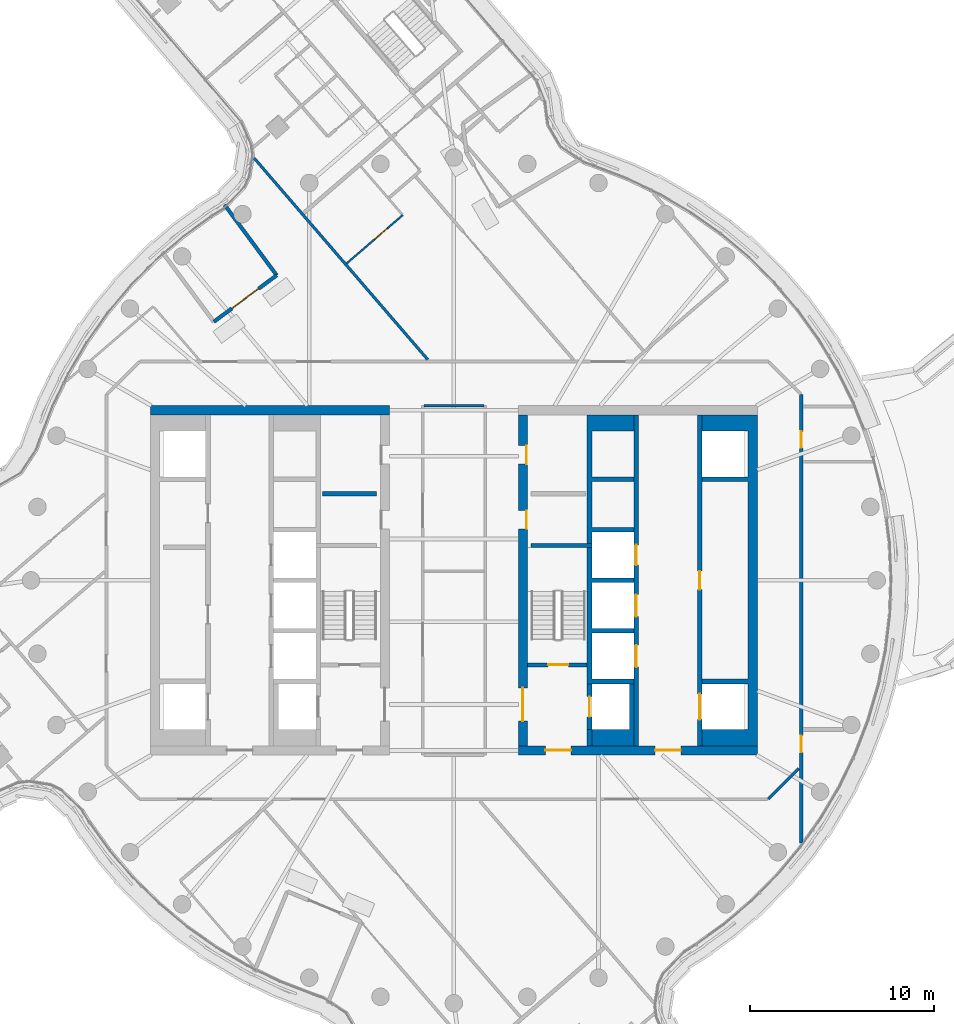
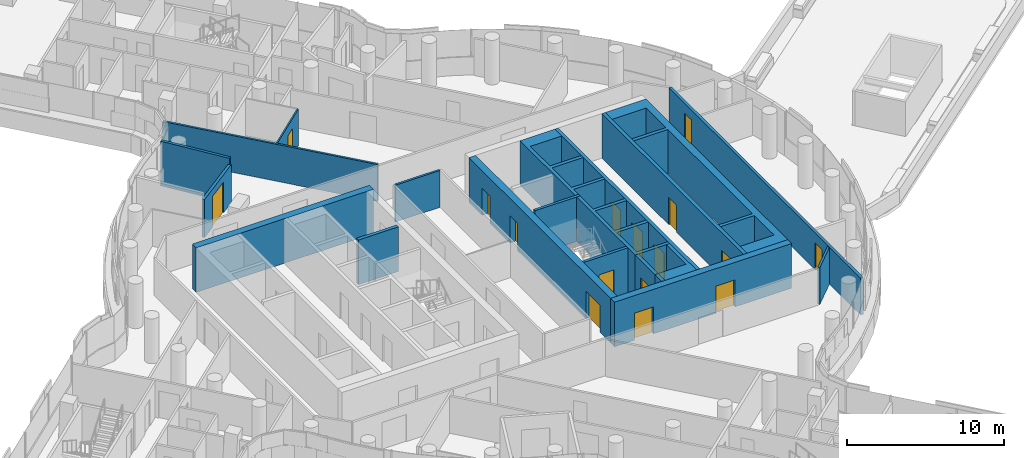
# One storey, part 24 of 34: 20 walls, 16 doors, 16 openings.
"""IFC4 building model written with IfcOpenShell, lengths in metres."""

from ifc_helpers import new_model, si_unit, direction, frame, frame_2d, origin, place, context, subcontext, project, spatial, polyline, rectangle, outline, extrude, material, layer, layer_set, type_object, element, fill, save


model = new_model("IFC4")

# Units and contexts
model_context = context("Model", 3, precision=1e-05, world=origin(), true_north=direction((0.0, 1.0)))
body_context = subcontext(model_context, "Body", "Model", "MODEL_VIEW")
ifc_project = project(units=[si_unit("LENGTHUNIT", "METRE"), si_unit("AREAUNIT", "SQUARE_METRE"), si_unit("VOLUMEUNIT", "CUBIC_METRE"), si_unit("PLANEANGLEUNIT", "RADIAN"), si_unit("MASSUNIT", "GRAM", prefix="KILO")], contexts=[model_context])

# Site, building, storey
site_placement = place(None, origin())
site = spatial("IfcSite", under=ifc_project, at=site_placement, CompositionType="ELEMENT")
building_placement = place(site_placement, origin())
building = spatial("IfcBuilding", under=site, at=building_placement, Name="Tamarind Cross Interchange Tower", CompositionType="ELEMENT")
storey_placement = place(building_placement, frame((0.0, 0.0, 182.5)))
storey = spatial("IfcBuildingStorey", under=building, at=storey_placement, Name="L45", CompositionType="ELEMENT", Elevation=182.5)

# Wall, opening, door
ifc_material_1 = material(Name="Concrete C40", Category="concrete")
ifc_layer_1 = layer(ifc_material_1, 0.199951171875)
ifc_layer_set_1 = layer_set([ifc_layer_1], Name="Concrete C40")
wall_type_1 = type_object("IfcWallType", Name="Balcony and garden door wall", PredefinedType="SOLIDWALL", material=ifc_layer_set_1)
wall_1_placement = place(storey_placement, frame((-9.638671875, 16.5927734375, 0.0), z_axis=(0.0, 0.0, 1.0), x_axis=(-0.804072359199, -0.594531446748, 0.0)))
wall_1 = element("IfcWall", 1, at=wall_1_placement, inside=storey, type_object=wall_type_1, Name="EXW-L45-WG-L45-NW", PredefinedType="SOLIDWALL", context=body_context, shape_type="SweptSolid", body=[
    extrude(rectangle(XDim=4.25390625, YDim=0.199951171875, at=frame_2d((2.126953125, 0.0))), origin(), (0.0, 0.0, 1.0), 2.964111328125),
])
opening_1_placement = place(wall_1_placement, frame((1.22705078125, 0.0, 0.0)))
opening_1 = element("IfcOpeningElement", 2, at=opening_1_placement, cuts=wall_1, Name="Opening D5", PredefinedType="OPENING", context=body_context, shape_type="SweptSolid", body=[
    extrude(rectangle(XDim=1.800048828125, YDim=2.39990234375, at=frame_2d((0.89990234375, 1.199951171875))), frame((0.0, 0.10986328125, 0.0), z_axis=(0.0, -1.0, 0.0), x_axis=(1.0, 0.0, 0.0)), (0.0, 0.0, 1.0), 0.219970703125),
])
ifc_material_2 = material(Name="Aluminium and toughened glass", Category="aluminium")
door_type_1 = type_object("IfcDoorType", Name="Roof garden door", OperationType="DOUBLE_DOOR_SINGLE_SWING", PredefinedType="DOOR", material=ifc_material_2)
door_1_placement = place(opening_1_placement, origin())
door_1 = element("IfcDoor", 3, at=door_1_placement, inside=storey, type_object=door_type_1, Name="DOR-L45-WG-L45-NW", OperationType="SINGLE_SWING_LEFT", OverallHeight=2.39990234375, OverallWidth=1.800048828125, PredefinedType="DOOR", context=body_context, shape_type="SweptSolid", body=[
    extrude(rectangle(XDim=1.800048828125, YDim=2.39990234375, at=frame_2d((0.89990234375, 1.199951171875))), frame((0.0, 0.02490234375, 0.0), z_axis=(0.0, -1.0, 0.0), x_axis=(1.0, 0.0, 0.0)), (0.0, 0.0, 1.0), 0.050048828125),
])
fill(opening_1, door_1)

# Walls
wall_2_placement = place(storey_placement, frame((-9.638916015625, 16.5927734375, 0.0), z_axis=(0.0, 0.0, 1.0), x_axis=(-0.594543730189, 0.804063276672, 0.0)))
element("IfcWall", 4, at=wall_2_placement, inside=storey, type_object=wall_type_1, Name="EXW-L45-WG-L45-NW-R0", PredefinedType="SOLIDWALL", context=body_context, shape_type="SweptSolid", body=[
    extrude(rectangle(XDim=4.765869140625, YDim=0.199951171875, at=frame_2d((2.3828125, 0.0))), origin(), (0.0, 0.0, 1.0), 3.4599609375),
])
ifc_material_3 = material(Name="Concrete C55", Category="concrete")
ifc_layer_2 = layer(ifc_material_3, 0.5)
ifc_layer_set_2 = layer_set([ifc_layer_2], Name="Concrete C55")
wall_type_2 = type_object("IfcWallType", Name="Core wall 500 mm Concrete C55", PredefinedType="SHEAR", material=ifc_layer_set_2)
wall_3_placement = place(storey_placement, frame((-16.5, 9.25, 0.0), z_axis=(0.0, 0.0, 1.0), x_axis=(1.0, 0.0, 0.0)))
element("IfcWall", 5, at=wall_3_placement, inside=storey, type_object=wall_type_2, Name="Core wall CWL-L45-W-NE", PredefinedType="SHEAR", context=body_context, shape_type="SweptSolid", body=[
    extrude(rectangle(XDim=13.0, YDim=0.5, at=frame_2d((6.5, 0.0))), origin(), (0.0, 0.0, 1.0), 3.4599609375),
])

# Wall, openings, doors
wall_4_placement = place(storey_placement, frame((16.5, -9.25, 0.0), z_axis=(0.0, 0.0, 1.0), x_axis=(-1.0, 0.0, 0.0)))
wall_4 = element("IfcWall", 6, at=wall_4_placement, inside=storey, type_object=wall_type_2, Name="Core wall CWL-L45-E-S", PredefinedType="SHEAR", context=body_context, shape_type="SweptSolid", body=[
    extrude(rectangle(XDim=13.0, YDim=0.5, at=frame_2d((6.5, 0.0))), origin(), (0.0, 0.0, 1.0), 3.4599609375),
])
opening_2_placement = place(wall_4_placement, frame((4.14990234375, 0.0, 0.0)))
opening_2 = element("IfcOpeningElement", 7, at=opening_2_placement, cuts=wall_4, Name="Opening DCE1", PredefinedType="OPENING", context=body_context, shape_type="SweptSolid", body=[
    extrude(rectangle(XDim=1.39990234375, YDim=2.10009765625, at=frame_2d((0.699951171875, 1.050048828125))), frame((0.0, 0.260009765625, 0.0), z_axis=(0.0, -1.0, 0.0), x_axis=(1.0, 0.0, 0.0)), (0.0, 0.0, 1.0), 0.52001953125),
])
opening_3_placement = place(wall_4_placement, frame((10.125, 0.0, 0.0)))
opening_3 = element("IfcOpeningElement", 8, at=opening_3_placement, cuts=wall_4, Name="Opening DCEF", PredefinedType="OPENING", context=body_context, shape_type="SweptSolid", body=[
    extrude(rectangle(XDim=1.39990234375, YDim=2.10009765625, at=frame_2d((0.699951171875, 1.050048828125))), frame((0.0, 0.260009765625, 0.0), z_axis=(0.0, -1.0, 0.0), x_axis=(1.0, 0.0, 0.0)), (0.0, 0.0, 1.0), 0.52001953125),
])
ifc_material_4 = material(Name="Steel, fire-resisting", Category="steel")
door_type_2 = type_object("IfcDoorType", Name="Core fire door 1400 x 2100 FD90", OperationType="SINGLE_SWING_LEFT", PredefinedType="DOOR", material=ifc_material_4)
door_2_placement = place(opening_2_placement, origin())
door_2 = element("IfcDoor", 9, at=door_2_placement, inside=storey, type_object=door_type_2, Name="L45 lift lobby door", OperationType="SINGLE_SWING_LEFT", OverallHeight=2.10009765625, OverallWidth=1.39990234375, PredefinedType="DOOR", context=body_context, shape_type="SweptSolid", body=[
    extrude(rectangle(XDim=1.39990234375, YDim=2.10009765625, at=frame_2d((0.699951171875, 1.050048828125))), frame((0.0, 0.02490234375, 0.0), z_axis=(0.0, -1.0, 0.0), x_axis=(1.0, 0.0, 0.0)), (0.0, 0.0, 1.0), 0.050048828125),
])
fill(opening_2, door_2)
door_3_placement = place(opening_3_placement, origin())
door_3 = element("IfcDoor", 10, at=door_3_placement, inside=storey, type_object=door_type_2, Name="L45 firefighting lobby end door", OperationType="SINGLE_SWING_LEFT", OverallHeight=2.10009765625, OverallWidth=1.39990234375, PredefinedType="DOOR", context=body_context, shape_type="SweptSolid", body=[
    extrude(rectangle(XDim=1.39990234375, YDim=2.10009765625, at=frame_2d((0.699951171875, 1.050048828125))), frame((0.0, 0.02490234375, 0.0), z_axis=(0.0, -1.0, 0.0), x_axis=(1.0, 0.0, 0.0)), (0.0, 0.0, 1.0), 0.050048828125),
])
fill(opening_3, door_3)

# Wall
wall_5_placement = place(storey_placement, origin())
element("IfcWall", 11, at=wall_5_placement, inside=storey, type_object=wall_type_2, Name="Core wall CWL-L45-E-A", PredefinedType="SHEAR", context=body_context, shape_type="SweptSolid", body=[
    extrude(outline(polyline([(13.5, -8.125), (13.5, -9.0), (16.0, -9.0), (16.5, -9.0), (16.5, 9.0), (16.0, 9.0), (13.5, 9.0), (13.5, 8.125), (16.0, 8.125), (16.0, 5.625), (13.5, 5.625), (13.5, 5.375), (16.0, 5.375), (16.0, -5.375), (13.5, -5.375), (13.5, -5.625), (16.0, -5.625), (16.0, -8.125), (13.5, -8.125)])), origin(), (0.0, 0.0, 1.0), 3.4599609375),
])

# Wall, openings, doors
wall_6_placement = place(storey_placement, frame((3.75, -9.0, 0.0), z_axis=(0.0, 0.0, 1.0), x_axis=(0.0, 1.0, 0.0)))
wall_6 = element("IfcWall", 12, at=wall_6_placement, inside=storey, type_object=wall_type_2, Name="Core wall CWL-L45-E-IN", PredefinedType="SHEAR", context=body_context, shape_type="SweptSolid", body=[
    extrude(rectangle(XDim=18.0, YDim=0.5, at=frame_2d((9.0, 0.0))), origin(), (0.0, 0.0, 1.0), 3.4599609375),
])
opening_4_placement = place(wall_6_placement, frame((1.35009765625, 0.0, 0.0)))
opening_4 = element("IfcOpeningElement", 13, at=opening_4_placement, cuts=wall_6, Name="Opening DCE4", PredefinedType="OPENING", context=body_context, shape_type="SweptSolid", body=[
    extrude(rectangle(XDim=1.800048828125, YDim=2.10009765625, at=frame_2d((0.89990234375, 1.050048828125))), frame((0.0, 0.260009765625, 0.0), z_axis=(0.0, -1.0, 0.0), x_axis=(1.0, 0.0, 0.0)), (0.0, 0.0, 1.0), 0.52001953125),
])
opening_5_placement = place(wall_6_placement, frame((11.797607421875, 0.0, 0.0)))
opening_5 = element("IfcOpeningElement", 14, at=opening_5_placement, cuts=wall_6, Name="Opening DCE5", PredefinedType="OPENING", context=body_context, shape_type="SweptSolid", body=[
    extrude(rectangle(XDim=1.0, YDim=2.10009765625, at=frame_2d((0.5, 1.050048828125))), frame((0.0, 0.260009765625, 0.0), z_axis=(0.0, -1.0, 0.0), x_axis=(1.0, 0.0, 0.0)), (0.0, 0.0, 1.0), 0.52001953125),
])
opening_6_placement = place(wall_6_placement, frame((15.322509765625, 0.0, 0.0)))
opening_6 = element("IfcOpeningElement", 15, at=opening_6_placement, cuts=wall_6, Name="Opening DCE5", PredefinedType="OPENING", context=body_context, shape_type="SweptSolid", body=[
    extrude(rectangle(XDim=1.0, YDim=2.10009765625, at=frame_2d((0.5, 1.050048828125))), frame((0.0, 0.260009765625, 0.0), z_axis=(0.0, -1.0, 0.0), x_axis=(1.0, 0.0, 0.0)), (0.0, 0.0, 1.0), 0.52001953125),
])
door_type_3 = type_object("IfcDoorType", Name="Core fire door 1000 x 2100 FD90", OperationType="SINGLE_SWING_LEFT", PredefinedType="DOOR", material=ifc_material_4)
door_4_placement = place(opening_5_placement, origin())
door_4 = element("IfcDoor", 16, at=door_4_placement, inside=storey, type_object=door_type_3, Name="L45 linen press door", OperationType="SINGLE_SWING_LEFT", OverallHeight=2.10009765625, OverallWidth=1.0, PredefinedType="DOOR", context=body_context, shape_type="SweptSolid", body=[
    extrude(rectangle(XDim=1.0, YDim=2.10009765625, at=frame_2d((0.5, 1.050048828125))), frame((0.0, -0.1748046875, 0.0), z_axis=(0.0, -1.0, 0.0), x_axis=(1.0, 0.0, 0.0)), (0.0, 0.0, 1.0), 0.050048828125),
])
fill(opening_5, door_4)
door_5_placement = place(opening_6_placement, origin())
door_5 = element("IfcDoor", 17, at=door_5_placement, inside=storey, type_object=door_type_3, Name="L45 housekeeping pantry door", OperationType="SINGLE_SWING_LEFT", OverallHeight=2.10009765625, OverallWidth=1.0, PredefinedType="DOOR", context=body_context, shape_type="SweptSolid", body=[
    extrude(rectangle(XDim=1.0, YDim=2.10009765625, at=frame_2d((0.5, 1.050048828125))), frame((0.0, -0.1748046875, 0.0), z_axis=(0.0, -1.0, 0.0), x_axis=(1.0, 0.0, 0.0)), (0.0, 0.0, 1.0), 0.050048828125),
])
fill(opening_6, door_5)
door_type_4 = type_object("IfcDoorType", Name="Core fire door 1800 x 2100 FD90", OperationType="SINGLE_SWING_LEFT", PredefinedType="DOOR", material=ifc_material_4)
door_6_placement = place(opening_4_placement, origin())
door_6 = element("IfcDoor", 18, at=door_6_placement, inside=storey, type_object=door_type_4, Name="L45 firefighting lobby door", OperationType="SINGLE_SWING_LEFT", OverallHeight=2.10009765625, OverallWidth=1.800048828125, PredefinedType="DOOR", context=body_context, shape_type="SweptSolid", body=[
    extrude(rectangle(XDim=1.800048828125, YDim=2.10009765625, at=frame_2d((0.89990234375, 1.050048828125))), frame((0.0, 0.02490234375, 0.0), z_axis=(0.0, -1.0, 0.0), x_axis=(1.0, 0.0, 0.0)), (0.0, 0.0, 1.0), 0.050048828125),
])
fill(opening_4, door_6)

# Walls
ifc_layer_3 = layer(ifc_material_3, 0.199951171875)
ifc_layer_set_3 = layer_set([ifc_layer_3], Name="Concrete C55")
wall_type_3 = type_object("IfcWallType", Name="Core web wall 200 mm Concrete C55", PredefinedType="SHEAR", material=ifc_layer_set_3)
wall_7_placement = place(storey_placement, frame((7.5, 1.89990234375, 0.0), z_axis=(0.0, 0.0, 1.0), x_axis=(-1.0, 0.0, 0.0)))
element("IfcWall", 19, at=wall_7_placement, inside=storey, type_object=wall_type_3, Name="Core wall CWL-L45-E-BD", PredefinedType="SHEAR", context=body_context, shape_type="SweptSolid", body=[
    extrude(rectangle(XDim=3.300048828125, YDim=0.199951171875, at=frame_2d((1.64990234375, 0.0))), origin(), (0.0, 0.0, 1.0), 3.4599609375),
])
ifc_layer_4 = layer(ifc_material_3, 0.25)
ifc_layer_set_4 = layer_set([ifc_layer_4], Name="Concrete C55")
wall_type_4 = type_object("IfcWallType", Name="Core web wall 250 mm Concrete C55", PredefinedType="SHEAR", material=ifc_layer_set_4)
wall_8_placement = place(storey_placement, origin())
element("IfcWall", 20, at=wall_8_placement, inside=storey, type_object=wall_type_4, Name="Core wall CWL-L45-E-BN", PredefinedType="SHEAR", context=body_context, shape_type="SweptSolid", body=[
    extrude(outline(polyline([(9.800048828125, -5.375), (7.5, -5.375), (7.5, -2.875), (9.800048828125, -2.875), (9.800048828125, -2.625), (7.5, -2.625), (7.5, -0.125), (9.800048828125, -0.125), (9.800048828125, 0.125), (7.5, 0.125), (7.5, 2.625), (9.800048828125, 2.625), (9.800048828125, 2.875), (7.5, 2.875), (7.5, 5.375), (9.800048828125, 5.375), (9.800048828125, 5.625), (7.5, 5.625), (7.5, 8.125), (9.800048828125, 8.125), (9.800048828125, 9.0), (7.5, 9.0), (7.25, 9.0), (7.25, -5.625), (7.5, -5.625), (9.800048828125, -5.625), (9.800048828125, -5.375)])), origin(), (0.0, 0.0, 1.0), 3.4599609375),
])
wall_9_placement = place(storey_placement, origin())
element("IfcWall", 21, at=wall_9_placement, inside=storey, type_object=wall_type_4, Name="Core wall CWL-L45-E-BS", PredefinedType="SHEAR", context=body_context, shape_type="SweptSolid", body=[
    extrude(outline(polyline([(7.5, -8.125), (7.5, -9.0), (9.800048828125, -9.0), (9.800048828125, -8.125), (9.800048828125, -5.625), (9.550048828125, -5.625), (9.550048828125, -8.125), (7.5, -8.125)])), origin(), (0.0, 0.0, 1.0), 3.4599609375),
])
wall_10_placement = place(storey_placement, frame((7.375, -9.0, 0.0), z_axis=(0.0, 0.0, 1.0), x_axis=(0.0, 1.0, 0.0)))
element("IfcWall", 22, at=wall_10_placement, inside=storey, type_object=wall_type_4, Name="Core wall CWL-L45-E-BW", PredefinedType="SHEAR", context=body_context, shape_type="SweptSolid", body=[
    extrude(rectangle(XDim=0.875, YDim=0.25, at=frame_2d((0.4375, 0.0))), origin(), (0.0, 0.0, 1.0), 3.4599609375),
])

# Wall, openings, doors
wall_11_placement = place(storey_placement, frame((13.375, -9.0, 0.0), z_axis=(0.0, 0.0, 1.0), x_axis=(0.0, 1.0, 0.0)))
wall_11 = element("IfcWall", 23, at=wall_11_placement, inside=storey, type_object=wall_type_4, Name="Core wall CWL-L45-E-LA", PredefinedType="SHEAR", context=body_context, shape_type="SweptSolid", body=[
    extrude(rectangle(XDim=18.0, YDim=0.25, at=frame_2d((9.0, 0.0))), origin(), (0.0, 0.0, 1.0), 3.4599609375),
])
opening_7_placement = place(wall_11_placement, frame((1.425048828125, 0.0, 0.0)))
opening_7 = element("IfcOpeningElement", 24, at=opening_7_placement, cuts=wall_11, Name="Opening LD13L45", PredefinedType="OPENING", context=body_context, shape_type="SweptSolid", body=[
    extrude(rectangle(XDim=1.39990234375, YDim=2.10009765625, at=frame_2d((0.699951171875, 1.050048828125))), frame((0.0, 0.135009765625, 0.0), z_axis=(0.0, -1.0, 0.0), x_axis=(1.0, 0.0, 0.0)), (0.0, 0.0, 1.0), 0.27001953125),
])
opening_8_placement = place(wall_11_placement, frame((8.5, 0.0, 0.0)))
opening_8 = element("IfcOpeningElement", 25, at=opening_8_placement, cuts=wall_11, Name="Opening DCE9", PredefinedType="OPENING", context=body_context, shape_type="SweptSolid", body=[
    extrude(rectangle(XDim=1.0, YDim=2.10009765625, at=frame_2d((0.5, 1.050048828125))), frame((0.0, 0.135009765625, 0.0), z_axis=(0.0, -1.0, 0.0), x_axis=(1.0, 0.0, 0.0)), (0.0, 0.0, 1.0), 0.27001953125),
])
door_7_placement = place(opening_8_placement, origin())
door_7 = element("IfcDoor", 26, at=door_7_placement, inside=storey, type_object=door_type_3, Name="L45 Housekeeping pantry door", OperationType="SINGLE_SWING_LEFT", OverallHeight=2.10009765625, OverallWidth=1.0, PredefinedType="DOOR", context=body_context, shape_type="SweptSolid", body=[
    extrude(rectangle(XDim=1.0, YDim=2.10009765625, at=frame_2d((0.5, 1.050048828125))), frame((0.0, 0.02490234375, 0.0), z_axis=(0.0, -1.0, 0.0), x_axis=(1.0, 0.0, 0.0)), (0.0, 0.0, 1.0), 0.050048828125),
])
fill(opening_8, door_7)
ifc_material_5 = material(Name="Stainless steel panel", Category="steel")
door_type_5 = type_object("IfcDoorType", Name="Lift landing door 1400 x 2100 E 120", OperationType="SLIDING_TO_LEFT", PredefinedType="DOOR", material=ifc_material_5)
door_8_placement = place(opening_7_placement, origin())
door_8 = element("IfcDoor", 27, at=door_8_placement, inside=storey, type_object=door_type_5, Name="L45 landing door LF13", OperationType="SLIDING_TO_LEFT", OverallHeight=2.10009765625, OverallWidth=1.39990234375, PredefinedType="DOOR", context=body_context, shape_type="SweptSolid", body=[
    extrude(rectangle(XDim=1.39990234375, YDim=2.10009765625, at=frame_2d((0.699951171875, 1.050048828125))), frame((0.0, 0.02490234375, 0.0), z_axis=(0.0, -1.0, 0.0), x_axis=(1.0, 0.0, 0.0)), (0.0, 0.0, 1.0), 0.050048828125),
])
fill(opening_7, door_8)

wall_12_placement = place(storey_placement, frame((9.925048828125, -9.0, 0.0), z_axis=(0.0, 0.0, 1.0), x_axis=(0.0, 1.0, 0.0)))
wall_12 = element("IfcWall", 28, at=wall_12_placement, inside=storey, type_object=wall_type_4, Name="Core wall CWL-L45-E-LB", PredefinedType="SHEAR", context=body_context, shape_type="SweptSolid", body=[
    extrude(rectangle(XDim=18.0, YDim=0.25, at=frame_2d((9.0, 0.0))), origin(), (0.0, 0.0, 1.0), 3.4599609375),
])
opening_9_placement = place(wall_12_placement, frame((4.27490234375, 0.0, 0.0)))
opening_9 = element("IfcOpeningElement", 29, at=opening_9_placement, cuts=wall_12, Name="Opening LD20L45", PredefinedType="OPENING", context=body_context, shape_type="SweptSolid", body=[
    extrude(rectangle(XDim=1.199951171875, YDim=2.10009765625, at=frame_2d((0.60009765625, 1.050048828125))), frame((0.0, 0.135009765625, 0.0), z_axis=(0.0, -1.0, 0.0), x_axis=(1.0, 0.0, 0.0)), (0.0, 0.0, 1.0), 0.27001953125),
])
opening_10_placement = place(wall_12_placement, frame((7.02490234375, 0.0, 0.0)))
opening_10 = element("IfcOpeningElement", 30, at=opening_10_placement, cuts=wall_12, Name="Opening LD21L45", PredefinedType="OPENING", context=body_context, shape_type="SweptSolid", body=[
    extrude(rectangle(XDim=1.199951171875, YDim=2.10009765625, at=frame_2d((0.60009765625, 1.050048828125))), frame((0.0, 0.135009765625, 0.0), z_axis=(0.0, -1.0, 0.0), x_axis=(1.0, 0.0, 0.0)), (0.0, 0.0, 1.0), 0.27001953125),
])
opening_11_placement = place(wall_12_placement, frame((9.824951171875, 0.0, 0.0)))
opening_11 = element("IfcOpeningElement", 31, at=opening_11_placement, cuts=wall_12, Name="Opening LD22L45", PredefinedType="OPENING", context=body_context, shape_type="SweptSolid", body=[
    extrude(rectangle(XDim=1.10009765625, YDim=2.10009765625, at=frame_2d((0.550048828125, 1.050048828125))), frame((0.0, 0.135009765625, 0.0), z_axis=(0.0, -1.0, 0.0), x_axis=(1.0, 0.0, 0.0)), (0.0, 0.0, 1.0), 0.27001953125),
])
door_type_6 = type_object("IfcDoorType", Name="Lift landing door 1100 x 2100 E 120", OperationType="SLIDING_TO_LEFT", PredefinedType="DOOR", material=ifc_material_5)
door_9_placement = place(opening_11_placement, origin())
door_9 = element("IfcDoor", 32, at=door_9_placement, inside=storey, type_object=door_type_6, Name="L45 landing door LF22", OperationType="SLIDING_TO_LEFT", OverallHeight=2.10009765625, OverallWidth=1.10009765625, PredefinedType="DOOR", context=body_context, shape_type="SweptSolid", body=[
    extrude(rectangle(XDim=1.10009765625, YDim=2.10009765625, at=frame_2d((0.550048828125, 1.050048828125))), frame((0.0, 0.02490234375, 0.0), z_axis=(0.0, -1.0, 0.0), x_axis=(1.0, 0.0, 0.0)), (0.0, 0.0, 1.0), 0.050048828125),
])
fill(opening_11, door_9)
door_type_7 = type_object("IfcDoorType", Name="Lift landing door 1200 x 2100 E 120", OperationType="SLIDING_TO_LEFT", PredefinedType="DOOR", material=ifc_material_5)
door_10_placement = place(opening_9_placement, origin())
door_10 = element("IfcDoor", 33, at=door_10_placement, inside=storey, type_object=door_type_7, Name="L45 landing door LF20", OperationType="SLIDING_TO_LEFT", OverallHeight=2.10009765625, OverallWidth=1.199951171875, PredefinedType="DOOR", context=body_context, shape_type="SweptSolid", body=[
    extrude(rectangle(XDim=1.199951171875, YDim=2.10009765625, at=frame_2d((0.60009765625, 1.050048828125))), frame((0.0, 0.02490234375, 0.0), z_axis=(0.0, -1.0, 0.0), x_axis=(1.0, 0.0, 0.0)), (0.0, 0.0, 1.0), 0.050048828125),
])
fill(opening_9, door_10)
door_11_placement = place(opening_10_placement, origin())
door_11 = element("IfcDoor", 34, at=door_11_placement, inside=storey, type_object=door_type_7, Name="L45 landing door LF21", OperationType="SLIDING_TO_LEFT", OverallHeight=2.10009765625, OverallWidth=1.199951171875, PredefinedType="DOOR", context=body_context, shape_type="SweptSolid", body=[
    extrude(rectangle(XDim=1.199951171875, YDim=2.10009765625, at=frame_2d((0.60009765625, 1.050048828125))), frame((0.0, 0.02490234375, 0.0), z_axis=(0.0, -1.0, 0.0), x_axis=(1.0, 0.0, 0.0)), (0.0, 0.0, 1.0), 0.050048828125),
])
fill(opening_10, door_11)

# Wall, opening, door
wall_13_placement = place(storey_placement, frame((7.375, -8.125, 0.0), z_axis=(0.0, 0.0, 1.0), x_axis=(0.0, 1.0, 0.0)))
wall_13 = element("IfcWall", 35, at=wall_13_placement, inside=storey, type_object=wall_type_4, Name="Core wall CWL-L45-E-FF", PredefinedType="SHEAR", context=body_context, shape_type="SweptSolid", body=[
    extrude(rectangle(XDim=2.5, YDim=0.25, at=frame_2d((1.25, 0.0))), origin(), (0.0, 0.0, 1.0), 3.4599609375),
])
opening_12_placement = place(wall_13_placement, frame((0.699951171875, 0.0, 0.0)))
opening_12 = element("IfcOpeningElement", 36, at=opening_12_placement, cuts=wall_13, Name="Opening LD19L45", PredefinedType="OPENING", context=body_context, shape_type="SweptSolid", body=[
    extrude(rectangle(XDim=1.10009765625, YDim=2.10009765625, at=frame_2d((0.550048828125, 1.050048828125))), frame((0.0, 0.135009765625, 0.0), z_axis=(0.0, -1.0, 0.0), x_axis=(1.0, 0.0, 0.0)), (0.0, 0.0, 1.0), 0.27001953125),
])
door_12_placement = place(opening_12_placement, origin())
door_12 = element("IfcDoor", 37, at=door_12_placement, inside=storey, type_object=door_type_6, Name="L45 landing door LF19", OperationType="SLIDING_TO_LEFT", OverallHeight=2.10009765625, OverallWidth=1.10009765625, PredefinedType="DOOR", context=body_context, shape_type="SweptSolid", body=[
    extrude(rectangle(XDim=1.10009765625, YDim=2.10009765625, at=frame_2d((0.550048828125, 1.050048828125))), frame((0.0, 0.02490234375, 0.0), z_axis=(0.0, -1.0, 0.0), x_axis=(1.0, 0.0, 0.0)), (0.0, 0.0, 1.0), 0.050048828125),
])
fill(opening_12, door_12)

ifc_material_6 = material(Name="Gypsum board partition on steel studs", Category="steel")
ifc_layer_5 = layer(ifc_material_6, 0.10009765625)
ifc_layer_set_5 = layer_set([ifc_layer_5], Name="Gypsum board partition on steel studs")
wall_type_5 = type_object("IfcWallType", Name="Partition 100 mm EI 90", PredefinedType="PARTITIONING", material=ifc_layer_set_5)
wall_14_placement = place(storey_placement, frame((-5.831298828125, 17.239990234375, 0.0), z_axis=(0.0, 0.0, 1.0), x_axis=(0.757627148994, 0.652687599934, 0.0)))
wall_14 = element("IfcWall", 38, at=wall_14_placement, inside=storey, type_object=wall_type_5, Name="Partition L45-074", PredefinedType="PARTITIONING", context=body_context, shape_type="SweptSolid", body=[
    extrude(rectangle(XDim=4.02490234375, YDim=0.10009765625, at=frame_2d((2.012451171875, 0.0))), origin(), (0.0, 0.0, 1.0), 2.864013671875),
])
opening_13_placement = place(wall_14_placement, frame((2.02490234375, 0.0, 0.0)))
opening_13 = element("IfcOpeningElement", 39, at=opening_13_placement, cuts=wall_14, Name="Opening D42", PredefinedType="OPENING", context=body_context, shape_type="SweptSolid", body=[
    extrude(rectangle(XDim=0.89990234375, YDim=2.10009765625, at=frame_2d((0.449951171875, 1.050048828125))), frame((0.0, 0.06005859375, 0.0), z_axis=(0.0, -1.0, 0.0), x_axis=(1.0, 0.0, 0.0)), (0.0, 0.0, 1.0), 0.1201171875),
])
ifc_material_7 = material(Name="Fire-resisting door set")
door_type_8 = type_object("IfcDoorType", Name="Interior door 900 x 2100 FD60S", OperationType="SINGLE_SWING_LEFT", PredefinedType="DOOR", material=ifc_material_7)
door_13_placement = place(opening_13_placement, origin())
door_13 = element("IfcDoor", 40, at=door_13_placement, inside=storey, type_object=door_type_8, Name="Door D42", OperationType="SINGLE_SWING_LEFT", OverallHeight=2.10009765625, OverallWidth=0.89990234375, PredefinedType="DOOR", context=body_context, shape_type="SweptSolid", body=[
    extrude(rectangle(XDim=0.89990234375, YDim=2.10009765625, at=frame_2d((0.449951171875, 1.050048828125))), frame((0.0, 0.02490234375, 0.0), z_axis=(0.0, -1.0, 0.0), x_axis=(1.0, 0.0, 0.0)), (0.0, 0.0, 1.0), 0.050048828125),
])
fill(opening_13, door_13)

# Walls
ifc_layer_6 = layer(ifc_material_6, 0.14990234375)
ifc_layer_set_6 = layer_set([ifc_layer_6], Name="Gypsum board partition on steel studs")
wall_type_6 = type_object("IfcWallType", Name="Partition 150 mm EI 120", PredefinedType="PARTITIONING", material=ifc_layer_set_6)
wall_15_placement = place(storey_placement, frame((-10.8681640625, 22.969970703125, 0.0), z_axis=(0.0, 0.0, 1.0), x_axis=(0.652748053076, -0.757575065063, 0.0)))
element("IfcWall", 41, at=wall_15_placement, inside=storey, type_object=wall_type_6, Name="Partition L45-021", PredefinedType="PARTITIONING", context=body_context, shape_type="SweptSolid", body=[
    extrude(rectangle(XDim=14.472412109375, YDim=0.14990234375, at=frame_2d((7.236328125, 0.0))), origin(), (0.0, 0.0, 1.0), 2.864013671875),
])
wall_16_placement = place(storey_placement, frame((-1.639892578125, 9.5, 0.0), z_axis=(0.0, 0.0, 1.0), x_axis=(1.0, 0.0, 0.0)))
element("IfcWall", 42, at=wall_16_placement, inside=storey, type_object=wall_type_6, Name="Partition L45-046", PredefinedType="PARTITIONING", context=body_context, shape_type="SweptSolid", body=[
    extrude(rectangle(XDim=3.27978515625, YDim=0.14990234375, at=frame_2d((1.639892578125, 0.0))), origin(), (0.0, 0.0, 1.0), 2.864013671875),
])
wall_17_placement = place(storey_placement, frame((17.10009765625, -11.89990234375, 0.0), z_axis=(0.0, 0.0, 1.0), x_axis=(0.707106781187, 0.707106781187, 0.0)))
element("IfcWall", 43, at=wall_17_placement, inside=storey, type_object=wall_type_6, Name="Partition L45-090", PredefinedType="PARTITIONING", context=body_context, shape_type="SweptSolid", body=[
    extrude(rectangle(XDim=2.35546875, YDim=0.14990234375, at=frame_2d((1.177734375, 0.0))), origin(), (0.0, 0.0, 1.0), 2.864013671875),
])

# Wall, openings, doors
ifc_layer_7 = layer(ifc_material_6, 0.199951171875)
ifc_layer_set_7 = layer_set([ifc_layer_7], Name="Gypsum board partition on steel studs")
wall_type_7 = type_object("IfcWallType", Name="Partition 200 mm EI 180", PredefinedType="PARTITIONING", material=ifc_layer_set_7)
wall_18_placement = place(storey_placement, frame((18.89990234375, -14.277099609375, 0.0), z_axis=(0.0, 0.0, 1.0), x_axis=(0.0, 1.0, 0.0)))
wall_18 = element("IfcWall", 44, at=wall_18_placement, inside=storey, type_object=wall_type_7, Name="Partition L45-094", PredefinedType="PARTITIONING", context=body_context, shape_type="SweptSolid", body=[
    extrude(rectangle(XDim=24.377197265625, YDim=0.199951171875, at=frame_2d((12.1884765625, 0.0))), origin(), (0.0, 0.0, 1.0), 2.864013671875),
])
opening_14_placement = place(wall_18_placement, frame((4.927001953125, 0.0, 0.0)))
opening_14 = element("IfcOpeningElement", 45, at=opening_14_placement, cuts=wall_18, Name="Opening D53", PredefinedType="OPENING", context=body_context, shape_type="SweptSolid", body=[
    extrude(rectangle(XDim=0.89990234375, YDim=2.10009765625, at=frame_2d((0.449951171875, 1.050048828125))), frame((0.0, 0.10986328125, 0.0), z_axis=(0.0, -1.0, 0.0), x_axis=(1.0, 0.0, 0.0)), (0.0, 0.0, 1.0), 0.219970703125),
])
opening_15_placement = place(wall_18_placement, frame((21.481201171875, 0.0, 0.0)))
opening_15 = element("IfcOpeningElement", 46, at=opening_15_placement, cuts=wall_18, Name="Opening D54", PredefinedType="OPENING", context=body_context, shape_type="SweptSolid", body=[
    extrude(rectangle(XDim=0.89990234375, YDim=2.10009765625, at=frame_2d((0.449951171875, 1.050048828125))), frame((0.0, 0.10986328125, 0.0), z_axis=(0.0, -1.0, 0.0), x_axis=(1.0, 0.0, 0.0)), (0.0, 0.0, 1.0), 0.219970703125),
])
door_type_9 = type_object("IfcDoorType", Name="Interior door 900 x 2100 FD120S", OperationType="SINGLE_SWING_LEFT", PredefinedType="DOOR", material=ifc_material_7)
door_14_placement = place(opening_14_placement, frame((0.89990234375, 0.0, 0.0), z_axis=(0.0, 0.0, 1.0), x_axis=(-1.0, 0.0, 0.0)))
door_14 = element("IfcDoor", 47, at=door_14_placement, inside=storey, type_object=door_type_9, Name="Door D53", OperationType="SINGLE_SWING_LEFT", OverallHeight=2.10009765625, OverallWidth=0.89990234375, PredefinedType="DOOR", context=body_context, shape_type="SweptSolid", body=[
    extrude(rectangle(XDim=0.89990234375, YDim=2.10009765625, at=frame_2d((0.449951171875, 1.050048828125))), frame((0.0, 0.02490234375, 0.0), z_axis=(0.0, -1.0, 0.0), x_axis=(1.0, 0.0, 0.0)), (0.0, 0.0, 1.0), 0.050048828125),
])
fill(opening_14, door_14)
door_15_placement = place(opening_15_placement, frame((0.89990234375, 0.0, 0.0), z_axis=(0.0, 0.0, 1.0), x_axis=(-1.0, 0.0, 0.0)))
door_15 = element("IfcDoor", 48, at=door_15_placement, inside=storey, type_object=door_type_9, Name="Door D54", OperationType="SINGLE_SWING_RIGHT", OverallHeight=2.10009765625, OverallWidth=0.89990234375, PredefinedType="DOOR", context=body_context, shape_type="SweptSolid", body=[
    extrude(rectangle(XDim=0.89990234375, YDim=2.10009765625, at=frame_2d((0.449951171875, 1.050048828125))), frame((0.0, 0.02490234375, 0.0), z_axis=(0.0, -1.0, 0.0), x_axis=(1.0, 0.0, 0.0)), (0.0, 0.0, 1.0), 0.050048828125),
])
fill(opening_15, door_15)

# Wall
ifc_layer_8 = layer(ifc_material_1, 0.25)
ifc_layer_set_8 = layer_set([ifc_layer_8], Name="Concrete C40")
wall_type_8 = type_object("IfcWallType", Name="Shaft and lobby wall 250 mm Concrete C40", PredefinedType="PARTITIONING", material=ifc_layer_set_8)
wall_19_placement = place(storey_placement, frame((-7.14990234375, 4.719970703125, 0.0), z_axis=(0.0, 0.0, 1.0), x_axis=(1.0, 0.0, 0.0)))
element("IfcWall", 49, at=wall_19_placement, inside=storey, type_object=wall_type_8, Name="Shaft wall CWL-L45-W-SVP", PredefinedType="PARTITIONING", context=body_context, shape_type="SweptSolid", body=[
    extrude(rectangle(XDim=2.949951171875, YDim=0.25, at=frame_2d((1.47509765625, 0.0))), origin(), (0.0, 0.0, 1.0), 3.4599609375),
])

# Wall, opening, door
ifc_layer_9 = layer(ifc_material_1, 0.199951171875)
ifc_layer_set_9 = layer_set([ifc_layer_9], Name="Concrete C40")
wall_type_9 = type_object("IfcWallType", Name="Stair shaft wall 200 mm Concrete C40", PredefinedType="SHEAR", material=ifc_layer_set_9)
wall_20_placement = place(storey_placement, frame((7.25, -4.60009765625, 0.0), z_axis=(0.0, 0.0, 1.0), x_axis=(-1.0, 0.0, 0.0)))
wall_20 = element("IfcWall", 50, at=wall_20_placement, inside=storey, type_object=wall_type_9, Name="Core wall CWL-L45-E-SD", PredefinedType="SHEAR", context=body_context, shape_type="SweptSolid", body=[
    extrude(rectangle(XDim=3.25, YDim=0.199951171875, at=frame_2d((1.625, 0.0))), origin(), (0.0, 0.0, 1.0), 3.4599609375),
])
opening_16_placement = place(wall_20_placement, frame((1.02490234375, 0.0, 0.0)))
opening_16 = element("IfcOpeningElement", 51, at=opening_16_placement, cuts=wall_20, Name="Opening DCE6", PredefinedType="OPENING", context=body_context, shape_type="SweptSolid", body=[
    extrude(rectangle(XDim=1.10009765625, YDim=2.10009765625, at=frame_2d((0.550048828125, 1.050048828125))), frame((0.0, 0.10986328125, 0.0), z_axis=(0.0, -1.0, 0.0), x_axis=(1.0, 0.0, 0.0)), (0.0, 0.0, 1.0), 0.219970703125),
])
door_type_10 = type_object("IfcDoorType", Name="Core fire door 1100 x 2100 FD90", OperationType="SINGLE_SWING_LEFT", PredefinedType="DOOR", material=ifc_material_4)
door_16_placement = place(opening_16_placement, origin())
door_16 = element("IfcDoor", 52, at=door_16_placement, inside=storey, type_object=door_type_10, Name="L45 stair door", OperationType="SINGLE_SWING_LEFT", OverallHeight=2.10009765625, OverallWidth=1.10009765625, PredefinedType="DOOR", context=body_context, shape_type="SweptSolid", body=[
    extrude(rectangle(XDim=1.10009765625, YDim=2.10009765625, at=frame_2d((0.550048828125, 1.050048828125))), frame((0.0, 0.02490234375, 0.0), z_axis=(0.0, -1.0, 0.0), x_axis=(1.0, 0.0, 0.0)), (0.0, 0.0, 1.0), 0.050048828125),
])
fill(opening_16, door_16)

save(model, "model.ifc")
